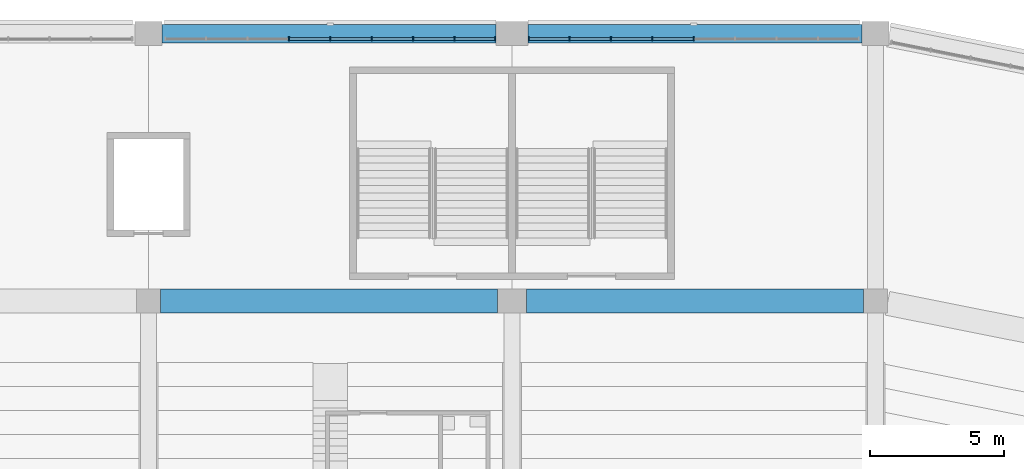
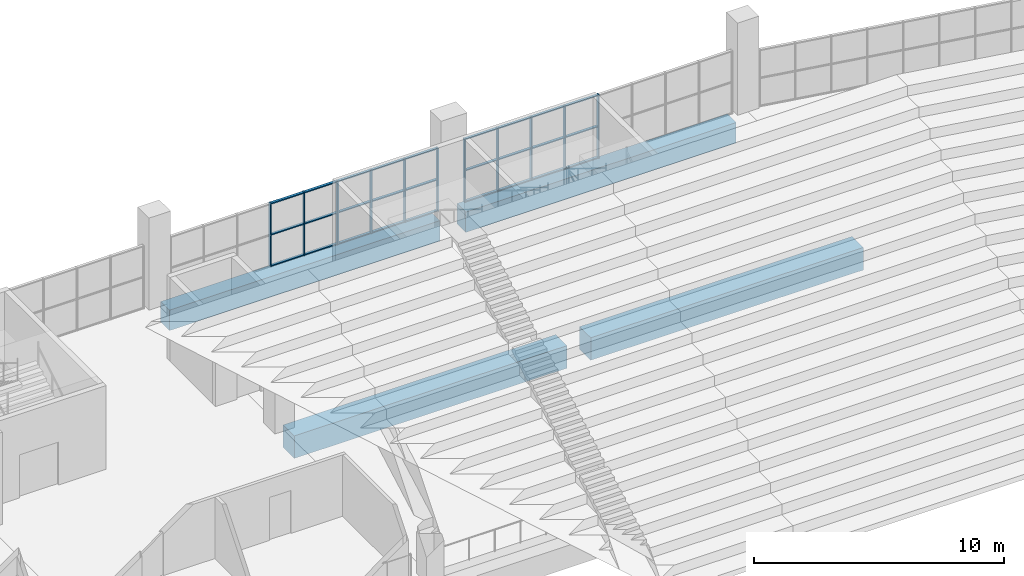
# One storey, part 52 of 249: 38 members, 4 beams, 2 elements without a shape of their own.
"""IFC4 building model written with IfcOpenShell, lengths in metres."""

from ifc_helpers import new_model, si_unit, direction, frame, origin, origin_2d, place, context, subcontext, project, spatial, rectangle, extrude, material, material_profile, profile_set, type_object, element, aggregate, save


model = new_model("IFC4")

# Units and contexts
model_context = context("Model", 3, precision=1e-05, world=origin(), true_north=direction((0.0, 1.0)))
body_context = subcontext(model_context, "Body", "Model", "MODEL_VIEW")
ifc_project = project(units=[si_unit("LENGTHUNIT", "METRE"), si_unit("AREAUNIT", "SQUARE_METRE"), si_unit("VOLUMEUNIT", "CUBIC_METRE"), si_unit("PLANEANGLEUNIT", "RADIAN"), si_unit("MASSUNIT", "GRAM", prefix="KILO")], contexts=[model_context])

# Site, building, storey
site_placement = place(None, origin())
site = spatial("IfcSite", under=ifc_project, at=site_placement, CompositionType="ELEMENT")
building_placement = place(site_placement, origin())
building = spatial("IfcBuilding", under=site, at=building_placement, Name="Ogive Plaza Stadium", CompositionType="ELEMENT")
storey_placement = place(building_placement, frame((0.0, 0.0, 13.5)))
storey = spatial("IfcBuildingStorey", under=building, at=storey_placement, Name="L03", CompositionType="ELEMENT", Elevation=13.5)

# Curtain wall, members
ifc_material_1 = material(Name="Bronze-anodised aluminium with laminated glass", Category="aluminium")
curtain_wall_type = type_object("IfcCurtainWallType", Name="Lancet curtain wall", PredefinedType="NOTDEFINED", material=ifc_material_1)
curtain_wall_1_placement = place(storey_placement, origin())
curtain_wall_1 = element("IfcCurtainWall", 1, at=curtain_wall_1_placement, inside=storey, type_object=curtain_wall_type, Name="CURTAIN WALL B35 L03", PredefinedType="NOTDEFINED")
ifc_material_2 = material(Name="Bronze-anodised aluminium", Category="aluminium")
ifc_material_profile_1 = material_profile(ifc_material_2, rectangle(XDim=0.14990234375, YDim=0.050048828125, at=origin_2d()), Name="AL 150x50")
ifc_profile_set_1 = profile_set([ifc_material_profile_1], Name="Bronze-anodised aluminium")
member_type_1 = type_object("IfcMemberType", Name="Curtain wall mullion 50x150", PredefinedType="MULLION", material=ifc_profile_set_1)
member_1_placement = place(storey_placement, frame((12.050048828125, 102.300048828125, 0.0), z_axis=(0.0, 0.0, 1.0), x_axis=(0.0, 1.0, 0.0)))
member_1 = element("IfcMember", 2, at=member_1_placement, type_object=member_type_1, Name="CW-B35-L03 mullion 4", PredefinedType="MULLION", context=body_context, shape_type="SweptSolid", body=[
    extrude(rectangle(XDim=0.14990234375, YDim=0.050048828125, at=origin_2d()), origin(), (0.0, 0.0, 1.0), 3.090087890625),
])
member_2_placement = place(storey_placement, frame((13.60009765625, 102.300048828125, 0.0), z_axis=(0.0, 0.0, 1.0), x_axis=(0.0, 1.0, 0.0)))
member_2 = element("IfcMember", 3, at=member_2_placement, type_object=member_type_1, Name="CW-B35-L03 mullion 5", PredefinedType="MULLION", context=body_context, shape_type="SweptSolid", body=[
    extrude(rectangle(XDim=0.14990234375, YDim=0.050048828125, at=origin_2d()), origin(), (0.0, 0.0, 1.0), 3.090087890625),
])
member_3_placement = place(storey_placement, frame((15.14990234375, 102.300048828125, 0.0), z_axis=(0.0, 0.0, 1.0), x_axis=(0.0, 1.0, 0.0)))
member_3 = element("IfcMember", 4, at=member_3_placement, type_object=member_type_1, Name="CW-B35-L03 mullion 6", PredefinedType="MULLION", context=body_context, shape_type="SweptSolid", body=[
    extrude(rectangle(XDim=0.14990234375, YDim=0.050048828125, at=origin_2d()), origin(), (0.0, 0.0, 1.0), 3.090087890625),
])
member_4_placement = place(storey_placement, frame((16.699951171875, 102.300048828125, 0.0), z_axis=(0.0, 0.0, 1.0), x_axis=(0.0, 1.0, 0.0)))
member_4 = element("IfcMember", 5, at=member_4_placement, type_object=member_type_1, Name="CW-B35-L03 mullion 7", PredefinedType="MULLION", context=body_context, shape_type="SweptSolid", body=[
    extrude(rectangle(XDim=0.14990234375, YDim=0.050048828125, at=origin_2d()), origin(), (0.0, 0.0, 1.0), 3.090087890625),
])
member_5_placement = place(storey_placement, frame((18.25, 102.300048828125, 0.0), z_axis=(0.0, 0.0, 1.0), x_axis=(0.0, 1.0, 0.0)))
member_5 = element("IfcMember", 6, at=member_5_placement, type_object=member_type_1, Name="CW-B35-L03 mullion 8", PredefinedType="MULLION", context=body_context, shape_type="SweptSolid", body=[
    extrude(rectangle(XDim=0.14990234375, YDim=0.050048828125, at=origin_2d()), origin(), (0.0, 0.0, 1.0), 3.090087890625),
])
member_6_placement = place(storey_placement, frame((19.77490234375, 102.300048828125, 0.0), z_axis=(0.0, 0.0, 1.0), x_axis=(0.0, 1.0, 0.0)))
member_6 = element("IfcMember", 7, at=member_6_placement, type_object=member_type_1, Name="CW-B35-L03 mullion 9", PredefinedType="MULLION", context=body_context, shape_type="SweptSolid", body=[
    extrude(rectangle(XDim=0.14990234375, YDim=0.050048828125, at=origin_2d()), origin(), (0.0, 0.0, 1.0), 3.090087890625),
])

curtain_wall_2_placement = place(storey_placement, origin())
curtain_wall_2 = element("IfcCurtainWall", 8, at=curtain_wall_2_placement, inside=storey, type_object=curtain_wall_type, Name="CURTAIN WALL B36 L03", PredefinedType="NOTDEFINED")
member_7_placement = place(storey_placement, frame((21.02490234375, 102.300048828125, 0.0), z_axis=(0.0, 0.0, 1.0), x_axis=(0.0, 1.0, 0.0)))
member_7 = element("IfcMember", 9, at=member_7_placement, type_object=member_type_1, Name="CW-B36-L03 mullion 1", PredefinedType="MULLION", context=body_context, shape_type="SweptSolid", body=[
    extrude(rectangle(XDim=0.14990234375, YDim=0.050048828125, at=origin_2d()), origin(), (0.0, 0.0, 1.0), 3.090087890625),
])
member_8_placement = place(storey_placement, frame((22.550048828125, 102.300048828125, 0.0), z_axis=(0.0, 0.0, 1.0), x_axis=(0.0, 1.0, 0.0)))
member_8 = element("IfcMember", 10, at=member_8_placement, type_object=member_type_1, Name="CW-B36-L03 mullion 2", PredefinedType="MULLION", context=body_context, shape_type="SweptSolid", body=[
    extrude(rectangle(XDim=0.14990234375, YDim=0.050048828125, at=origin_2d()), origin(), (0.0, 0.0, 1.0), 3.090087890625),
])
member_9_placement = place(storey_placement, frame((24.10009765625, 102.300048828125, 0.0), z_axis=(0.0, 0.0, 1.0), x_axis=(0.0, 1.0, 0.0)))
member_9 = element("IfcMember", 11, at=member_9_placement, type_object=member_type_1, Name="CW-B36-L03 mullion 3", PredefinedType="MULLION", context=body_context, shape_type="SweptSolid", body=[
    extrude(rectangle(XDim=0.14990234375, YDim=0.050048828125, at=origin_2d()), origin(), (0.0, 0.0, 1.0), 3.090087890625),
])
member_10_placement = place(storey_placement, frame((25.64990234375, 102.300048828125, 0.0), z_axis=(0.0, 0.0, 1.0), x_axis=(0.0, 1.0, 0.0)))
member_10 = element("IfcMember", 12, at=member_10_placement, type_object=member_type_1, Name="CW-B36-L03 mullion 4", PredefinedType="MULLION", context=body_context, shape_type="SweptSolid", body=[
    extrude(rectangle(XDim=0.14990234375, YDim=0.050048828125, at=origin_2d()), origin(), (0.0, 0.0, 1.0), 3.090087890625),
])
member_11_placement = place(storey_placement, frame((27.199951171875, 102.300048828125, 0.0), z_axis=(0.0, 0.0, 1.0), x_axis=(0.0, 1.0, 0.0)))
member_11 = element("IfcMember", 13, at=member_11_placement, type_object=member_type_1, Name="CW-B36-L03 mullion 5", PredefinedType="MULLION", context=body_context, shape_type="SweptSolid", body=[
    extrude(rectangle(XDim=0.14990234375, YDim=0.050048828125, at=origin_2d()), origin(), (0.0, 0.0, 1.0), 3.090087890625),
])

# Member
ifc_material_3 = material(Name="Bronze-anodised aluminium", Category="aluminium")
ifc_material_profile_2 = material_profile(ifc_material_3, rectangle(XDim=0.1201171875, YDim=0.050048828125, at=origin_2d()), Name="AL 120x50")
ifc_profile_set_2 = profile_set([ifc_material_profile_2], Name="Bronze-anodised aluminium")
member_type_2 = type_object("IfcMemberType", Name="Curtain wall transom 50x120", PredefinedType="USERDEFINED", material=ifc_profile_set_2)
member_12_placement = place(storey_placement, frame((12.074951171875, 102.300048828125, 0.02490234375), z_axis=(1.0, 0.0, 0.0), x_axis=(0.0, 1.0, 0.0)))
member_12 = element("IfcMember", 14, at=member_12_placement, type_object=member_type_2, Name="CW-B35-L03 transom 4.1", ObjectType="TRANSOM", PredefinedType="USERDEFINED", context=body_context, shape_type="SweptSolid", body=[
    extrude(rectangle(XDim=0.1201171875, YDim=0.050048828125, at=origin_2d()), origin(), (0.0, 0.0, 1.0), 1.5),
])

member_13_placement = place(storey_placement, frame((12.074951171875, 102.300048828125, 1.544921875), z_axis=(1.0, 0.0, 0.0), x_axis=(0.0, 1.0, 0.0)))
member_13 = element("IfcMember", 15, at=member_13_placement, type_object=member_type_2, Name="CW-B35-L03 transom 4.2", ObjectType="TRANSOM", PredefinedType="USERDEFINED", context=body_context, shape_type="SweptSolid", body=[
    extrude(rectangle(XDim=0.1201171875, YDim=0.050048828125, at=origin_2d()), origin(), (0.0, 0.0, 1.0), 1.5),
])

member_14_placement = place(storey_placement, frame((12.074951171875, 102.300048828125, 3.06494140625), z_axis=(1.0, 0.0, 0.0), x_axis=(0.0, 1.0, 0.0)))
member_14 = element("IfcMember", 16, at=member_14_placement, type_object=member_type_2, Name="CW-B35-L03 transom 4.3", ObjectType="TRANSOM", PredefinedType="USERDEFINED", context=body_context, shape_type="SweptSolid", body=[
    extrude(rectangle(XDim=0.1201171875, YDim=0.050048828125, at=origin_2d()), origin(), (0.0, 0.0, 1.0), 1.5),
])

member_15_placement = place(storey_placement, frame((13.625, 102.300048828125, 0.02490234375), z_axis=(1.0, 0.0, 0.0), x_axis=(0.0, 1.0, 0.0)))
member_15 = element("IfcMember", 17, at=member_15_placement, type_object=member_type_2, Name="CW-B35-L03 transom 5.1", ObjectType="TRANSOM", PredefinedType="USERDEFINED", context=body_context, shape_type="SweptSolid", body=[
    extrude(rectangle(XDim=0.1201171875, YDim=0.050048828125, at=origin_2d()), origin(), (0.0, 0.0, 1.0), 1.5),
])

member_16_placement = place(storey_placement, frame((13.625, 102.300048828125, 1.544921875), z_axis=(1.0, 0.0, 0.0), x_axis=(0.0, 1.0, 0.0)))
member_16 = element("IfcMember", 18, at=member_16_placement, type_object=member_type_2, Name="CW-B35-L03 transom 5.2", ObjectType="TRANSOM", PredefinedType="USERDEFINED", context=body_context, shape_type="SweptSolid", body=[
    extrude(rectangle(XDim=0.1201171875, YDim=0.050048828125, at=origin_2d()), origin(), (0.0, 0.0, 1.0), 1.5),
])

member_17_placement = place(storey_placement, frame((13.625, 102.300048828125, 3.06494140625), z_axis=(1.0, 0.0, 0.0), x_axis=(0.0, 1.0, 0.0)))
member_17 = element("IfcMember", 19, at=member_17_placement, type_object=member_type_2, Name="CW-B35-L03 transom 5.3", ObjectType="TRANSOM", PredefinedType="USERDEFINED", context=body_context, shape_type="SweptSolid", body=[
    extrude(rectangle(XDim=0.1201171875, YDim=0.050048828125, at=origin_2d()), origin(), (0.0, 0.0, 1.0), 1.5),
])

member_18_placement = place(storey_placement, frame((15.175048828125, 102.300048828125, 0.02490234375), z_axis=(1.0, 0.0, 0.0), x_axis=(0.0, 1.0, 0.0)))
member_18 = element("IfcMember", 20, at=member_18_placement, type_object=member_type_2, Name="CW-B35-L03 transom 6.1", ObjectType="TRANSOM", PredefinedType="USERDEFINED", context=body_context, shape_type="SweptSolid", body=[
    extrude(rectangle(XDim=0.1201171875, YDim=0.050048828125, at=origin_2d()), origin(), (0.0, 0.0, 1.0), 1.5),
])

member_19_placement = place(storey_placement, frame((15.175048828125, 102.300048828125, 1.544921875), z_axis=(1.0, 0.0, 0.0), x_axis=(0.0, 1.0, 0.0)))
member_19 = element("IfcMember", 21, at=member_19_placement, type_object=member_type_2, Name="CW-B35-L03 transom 6.2", ObjectType="TRANSOM", PredefinedType="USERDEFINED", context=body_context, shape_type="SweptSolid", body=[
    extrude(rectangle(XDim=0.1201171875, YDim=0.050048828125, at=origin_2d()), origin(), (0.0, 0.0, 1.0), 1.5),
])

member_20_placement = place(storey_placement, frame((15.175048828125, 102.300048828125, 3.06494140625), z_axis=(1.0, 0.0, 0.0), x_axis=(0.0, 1.0, 0.0)))
member_20 = element("IfcMember", 22, at=member_20_placement, type_object=member_type_2, Name="CW-B35-L03 transom 6.3", ObjectType="TRANSOM", PredefinedType="USERDEFINED", context=body_context, shape_type="SweptSolid", body=[
    extrude(rectangle(XDim=0.1201171875, YDim=0.050048828125, at=origin_2d()), origin(), (0.0, 0.0, 1.0), 1.5),
])

member_21_placement = place(storey_placement, frame((16.72509765625, 102.300048828125, 0.02490234375), z_axis=(1.0, 0.0, 0.0), x_axis=(0.0, 1.0, 0.0)))
member_21 = element("IfcMember", 23, at=member_21_placement, type_object=member_type_2, Name="CW-B35-L03 transom 7.1", ObjectType="TRANSOM", PredefinedType="USERDEFINED", context=body_context, shape_type="SweptSolid", body=[
    extrude(rectangle(XDim=0.1201171875, YDim=0.050048828125, at=origin_2d()), origin(), (0.0, 0.0, 1.0), 1.5),
])

member_22_placement = place(storey_placement, frame((16.72509765625, 102.300048828125, 1.544921875), z_axis=(1.0, 0.0, 0.0), x_axis=(0.0, 1.0, 0.0)))
member_22 = element("IfcMember", 24, at=member_22_placement, type_object=member_type_2, Name="CW-B35-L03 transom 7.2", ObjectType="TRANSOM", PredefinedType="USERDEFINED", context=body_context, shape_type="SweptSolid", body=[
    extrude(rectangle(XDim=0.1201171875, YDim=0.050048828125, at=origin_2d()), origin(), (0.0, 0.0, 1.0), 1.5),
])

member_23_placement = place(storey_placement, frame((16.72509765625, 102.300048828125, 3.06494140625), z_axis=(1.0, 0.0, 0.0), x_axis=(0.0, 1.0, 0.0)))
member_23 = element("IfcMember", 25, at=member_23_placement, type_object=member_type_2, Name="CW-B35-L03 transom 7.3", ObjectType="TRANSOM", PredefinedType="USERDEFINED", context=body_context, shape_type="SweptSolid", body=[
    extrude(rectangle(XDim=0.1201171875, YDim=0.050048828125, at=origin_2d()), origin(), (0.0, 0.0, 1.0), 1.5),
])

member_24_placement = place(storey_placement, frame((18.27490234375, 102.300048828125, 0.02490234375), z_axis=(1.0, 0.0, 0.0), x_axis=(0.0, 1.0, 0.0)))
member_24 = element("IfcMember", 26, at=member_24_placement, type_object=member_type_2, Name="CW-B35-L03 transom 8.1", ObjectType="TRANSOM", PredefinedType="USERDEFINED", context=body_context, shape_type="SweptSolid", body=[
    extrude(rectangle(XDim=0.1201171875, YDim=0.050048828125, at=origin_2d()), origin(), (0.0, 0.0, 1.0), 1.47509765625),
])

member_25_placement = place(storey_placement, frame((18.27490234375, 102.300048828125, 1.544921875), z_axis=(1.0, 0.0, 0.0), x_axis=(0.0, 1.0, 0.0)))
member_25 = element("IfcMember", 27, at=member_25_placement, type_object=member_type_2, Name="CW-B35-L03 transom 8.2", ObjectType="TRANSOM", PredefinedType="USERDEFINED", context=body_context, shape_type="SweptSolid", body=[
    extrude(rectangle(XDim=0.1201171875, YDim=0.050048828125, at=origin_2d()), origin(), (0.0, 0.0, 1.0), 1.47509765625),
])

member_26_placement = place(storey_placement, frame((18.27490234375, 102.300048828125, 3.06494140625), z_axis=(1.0, 0.0, 0.0), x_axis=(0.0, 1.0, 0.0)))
member_26 = element("IfcMember", 28, at=member_26_placement, type_object=member_type_2, Name="CW-B35-L03 transom 8.3", ObjectType="TRANSOM", PredefinedType="USERDEFINED", context=body_context, shape_type="SweptSolid", body=[
    extrude(rectangle(XDim=0.1201171875, YDim=0.050048828125, at=origin_2d()), origin(), (0.0, 0.0, 1.0), 1.47509765625),
])

aggregate(curtain_wall_1, [member_1, member_2, member_3, member_4, member_5, member_6, member_12, member_13, member_14, member_15, member_16, member_17, member_18, member_19, member_20, member_21, member_22, member_23, member_24, member_25, member_26])

member_27_placement = place(storey_placement, frame((21.050048828125, 102.300048828125, 0.02490234375), z_axis=(1.0, 0.0, 0.0), x_axis=(0.0, 1.0, 0.0)))
member_27 = element("IfcMember", 29, at=member_27_placement, type_object=member_type_2, Name="CW-B36-L03 transom 1.1", ObjectType="TRANSOM", PredefinedType="USERDEFINED", context=body_context, shape_type="SweptSolid", body=[
    extrude(rectangle(XDim=0.1201171875, YDim=0.050048828125, at=origin_2d()), origin(), (0.0, 0.0, 1.0), 1.474853515625),
])

member_28_placement = place(storey_placement, frame((21.050048828125, 102.300048828125, 1.544921875), z_axis=(1.0, 0.0, 0.0), x_axis=(0.0, 1.0, 0.0)))
member_28 = element("IfcMember", 30, at=member_28_placement, type_object=member_type_2, Name="CW-B36-L03 transom 1.2", ObjectType="TRANSOM", PredefinedType="USERDEFINED", context=body_context, shape_type="SweptSolid", body=[
    extrude(rectangle(XDim=0.1201171875, YDim=0.050048828125, at=origin_2d()), origin(), (0.0, 0.0, 1.0), 1.474853515625),
])

member_29_placement = place(storey_placement, frame((21.050048828125, 102.300048828125, 3.06494140625), z_axis=(1.0, 0.0, 0.0), x_axis=(0.0, 1.0, 0.0)))
member_29 = element("IfcMember", 31, at=member_29_placement, type_object=member_type_2, Name="CW-B36-L03 transom 1.3", ObjectType="TRANSOM", PredefinedType="USERDEFINED", context=body_context, shape_type="SweptSolid", body=[
    extrude(rectangle(XDim=0.1201171875, YDim=0.050048828125, at=origin_2d()), origin(), (0.0, 0.0, 1.0), 1.474853515625),
])

member_30_placement = place(storey_placement, frame((22.574951171875, 102.300048828125, 0.02490234375), z_axis=(1.0, 0.0, 0.0), x_axis=(0.0, 1.0, 0.0)))
member_30 = element("IfcMember", 32, at=member_30_placement, type_object=member_type_2, Name="CW-B36-L03 transom 2.1", ObjectType="TRANSOM", PredefinedType="USERDEFINED", context=body_context, shape_type="SweptSolid", body=[
    extrude(rectangle(XDim=0.1201171875, YDim=0.050048828125, at=origin_2d()), origin(), (0.0, 0.0, 1.0), 1.5),
])

member_31_placement = place(storey_placement, frame((22.574951171875, 102.300048828125, 1.544921875), z_axis=(1.0, 0.0, 0.0), x_axis=(0.0, 1.0, 0.0)))
member_31 = element("IfcMember", 33, at=member_31_placement, type_object=member_type_2, Name="CW-B36-L03 transom 2.2", ObjectType="TRANSOM", PredefinedType="USERDEFINED", context=body_context, shape_type="SweptSolid", body=[
    extrude(rectangle(XDim=0.1201171875, YDim=0.050048828125, at=origin_2d()), origin(), (0.0, 0.0, 1.0), 1.5),
])

member_32_placement = place(storey_placement, frame((22.574951171875, 102.300048828125, 3.06494140625), z_axis=(1.0, 0.0, 0.0), x_axis=(0.0, 1.0, 0.0)))
member_32 = element("IfcMember", 34, at=member_32_placement, type_object=member_type_2, Name="CW-B36-L03 transom 2.3", ObjectType="TRANSOM", PredefinedType="USERDEFINED", context=body_context, shape_type="SweptSolid", body=[
    extrude(rectangle(XDim=0.1201171875, YDim=0.050048828125, at=origin_2d()), origin(), (0.0, 0.0, 1.0), 1.5),
])

member_33_placement = place(storey_placement, frame((24.125, 102.300048828125, 0.02490234375), z_axis=(1.0, 0.0, 0.0), x_axis=(0.0, 1.0, 0.0)))
member_33 = element("IfcMember", 35, at=member_33_placement, type_object=member_type_2, Name="CW-B36-L03 transom 3.1", ObjectType="TRANSOM", PredefinedType="USERDEFINED", context=body_context, shape_type="SweptSolid", body=[
    extrude(rectangle(XDim=0.1201171875, YDim=0.050048828125, at=origin_2d()), origin(), (0.0, 0.0, 1.0), 1.5),
])

member_34_placement = place(storey_placement, frame((24.125, 102.300048828125, 1.544921875), z_axis=(1.0, 0.0, 0.0), x_axis=(0.0, 1.0, 0.0)))
member_34 = element("IfcMember", 36, at=member_34_placement, type_object=member_type_2, Name="CW-B36-L03 transom 3.2", ObjectType="TRANSOM", PredefinedType="USERDEFINED", context=body_context, shape_type="SweptSolid", body=[
    extrude(rectangle(XDim=0.1201171875, YDim=0.050048828125, at=origin_2d()), origin(), (0.0, 0.0, 1.0), 1.5),
])

member_35_placement = place(storey_placement, frame((24.125, 102.300048828125, 3.06494140625), z_axis=(1.0, 0.0, 0.0), x_axis=(0.0, 1.0, 0.0)))
member_35 = element("IfcMember", 37, at=member_35_placement, type_object=member_type_2, Name="CW-B36-L03 transom 3.3", ObjectType="TRANSOM", PredefinedType="USERDEFINED", context=body_context, shape_type="SweptSolid", body=[
    extrude(rectangle(XDim=0.1201171875, YDim=0.050048828125, at=origin_2d()), origin(), (0.0, 0.0, 1.0), 1.5),
])

member_36_placement = place(storey_placement, frame((25.675048828125, 102.300048828125, 0.02490234375), z_axis=(1.0, 0.0, 0.0), x_axis=(0.0, 1.0, 0.0)))
member_36 = element("IfcMember", 38, at=member_36_placement, type_object=member_type_2, Name="CW-B36-L03 transom 4.1", ObjectType="TRANSOM", PredefinedType="USERDEFINED", context=body_context, shape_type="SweptSolid", body=[
    extrude(rectangle(XDim=0.1201171875, YDim=0.050048828125, at=origin_2d()), origin(), (0.0, 0.0, 1.0), 1.5),
])

member_37_placement = place(storey_placement, frame((25.675048828125, 102.300048828125, 1.544921875), z_axis=(1.0, 0.0, 0.0), x_axis=(0.0, 1.0, 0.0)))
member_37 = element("IfcMember", 39, at=member_37_placement, type_object=member_type_2, Name="CW-B36-L03 transom 4.2", ObjectType="TRANSOM", PredefinedType="USERDEFINED", context=body_context, shape_type="SweptSolid", body=[
    extrude(rectangle(XDim=0.1201171875, YDim=0.050048828125, at=origin_2d()), origin(), (0.0, 0.0, 1.0), 1.5),
])

member_38_placement = place(storey_placement, frame((25.675048828125, 102.300048828125, 3.06494140625), z_axis=(1.0, 0.0, 0.0), x_axis=(0.0, 1.0, 0.0)))
member_38 = element("IfcMember", 40, at=member_38_placement, type_object=member_type_2, Name="CW-B36-L03 transom 4.3", ObjectType="TRANSOM", PredefinedType="USERDEFINED", context=body_context, shape_type="SweptSolid", body=[
    extrude(rectangle(XDim=0.1201171875, YDim=0.050048828125, at=origin_2d()), origin(), (0.0, 0.0, 1.0), 1.5),
])

aggregate(curtain_wall_2, [member_7, member_8, member_9, member_10, member_11, member_27, member_28, member_29, member_30, member_31, member_32, member_33, member_34, member_35, member_36, member_37, member_38])

# Beams
ifc_material_4 = material(Name="Concrete C40/50", Category="concrete")
ifc_material_profile_3 = material_profile(ifc_material_4, rectangle(XDim=0.89990234375, YDim=1.10009765625, at=origin_2d()), Name="RC 900x1100")
ifc_profile_set_3 = profile_set([ifc_material_profile_3], Name="Concrete C40/50")
beam_type_1 = type_object("IfcBeamType", Name="RC ring beam 900x1100", PredefinedType="BEAM", material=ifc_profile_set_3)
for number, where, z_axis, x_axis, name in (
    (41, (7.25, 92.5, -0.9599609375), (1.0, 0.0, 0.0), (0.0, 1.0, 0.0), "Ring beam F4 L03 B35"),
    (42, (20.949951171875, 92.5, -0.9599609375), (1.0, 0.0, 0.0), (0.0, 1.0, 0.0), "Ring beam F4 L03 B36"),
):
    element("IfcBeam", number, at=place(storey_placement, frame(where, z_axis=z_axis, x_axis=x_axis)), inside=storey, type_object=beam_type_1, Name=name, PredefinedType="BEAM", context=body_context, shape_type="SweptSolid", body=[
        extrude(rectangle(XDim=0.89990234375, YDim=1.10009765625, at=origin_2d()), origin(), (0.0, 0.0, 1.0), 12.60009765625),
    ])
ifc_material_5 = material(Name="Concrete C40/50", Category="concrete")
ifc_material_profile_4 = material_profile(ifc_material_5, rectangle(XDim=0.699951171875, YDim=1.0, at=origin_2d()), Name="RC 700x1000")
ifc_profile_set_4 = profile_set([ifc_material_profile_4], Name="Concrete C40/50")
beam_type_2 = type_object("IfcBeamType", Name="RC spandrel beam 700x1000", PredefinedType="SPANDREL", material=ifc_profile_set_4)
for number, where, z_axis, x_axis, name in (
    (43, (7.300048828125, 102.5, -0.909912109375), (1.0, 0.0, 0.0), (0.0, 1.0, 0.0), "Ring beam F5 L03 B35"),
    (44, (21.0, 102.5, -0.909912109375), (1.0, 0.0, 0.0), (0.0, 1.0, 0.0), "Ring beam F5 L03 B36"),
):
    element("IfcBeam", number, at=place(storey_placement, frame(where, z_axis=z_axis, x_axis=x_axis)), inside=storey, type_object=beam_type_2, Name=name, PredefinedType="SPANDREL", context=body_context, shape_type="SweptSolid", body=[
        extrude(rectangle(XDim=0.699951171875, YDim=1.0, at=origin_2d()), origin(), (0.0, 0.0, 1.0), 12.5),
    ])

save(model, "model.ifc")
